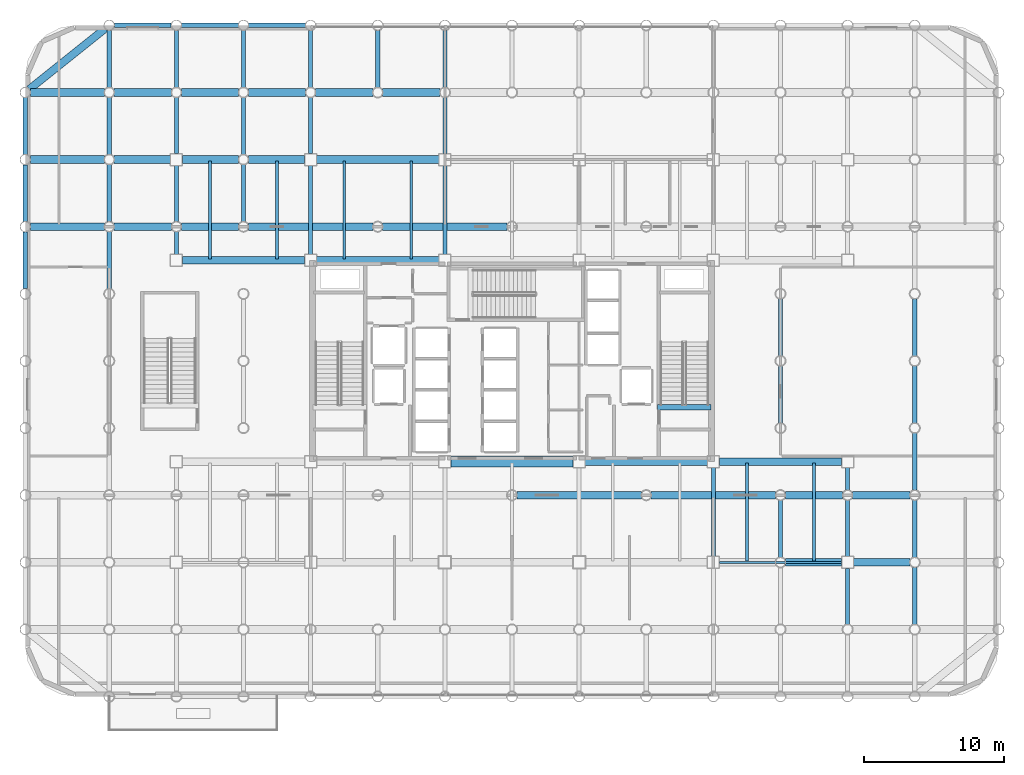
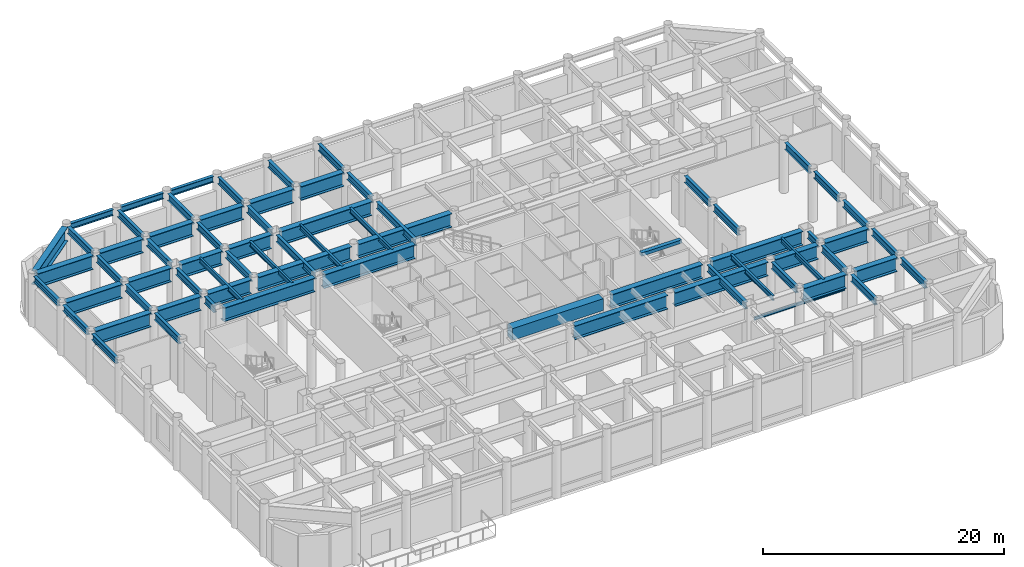
# One storey, part 7 of 17: 72 beams.
"""IFC4 building model written with IfcOpenShell, lengths in metres."""

from ifc_helpers import new_model, si_unit, direction, frame, origin, origin_2d, place, context, subcontext, project, spatial, rectangle, i_section, extrude, material, material_profile, profile_set, type_object, element, save


model = new_model("IFC4")

# Units and contexts
model_context = context("Model", 3, precision=1e-05, world=origin(), true_north=direction((0.0, 1.0)))
body_context = subcontext(model_context, "Body", "Model", "MODEL_VIEW")
ifc_project = project(units=[si_unit("LENGTHUNIT", "METRE"), si_unit("AREAUNIT", "SQUARE_METRE"), si_unit("VOLUMEUNIT", "CUBIC_METRE"), si_unit("PLANEANGLEUNIT", "RADIAN"), si_unit("MASSUNIT", "GRAM", prefix="KILO")], contexts=[model_context])

# Site, building, storey
site_placement = place(None, origin())
site = spatial("IfcSite", under=ifc_project, at=site_placement, CompositionType="ELEMENT")
building_placement = place(site_placement, origin())
building = spatial("IfcBuilding", under=site, at=building_placement, Name="Kallvorn Hotel Tower", CompositionType="ELEMENT")
storey_placement = place(building_placement, frame((0.0, 0.0, 19.199951171875)))
storey = spatial("IfcBuildingStorey", under=building, at=storey_placement, Name="L03", CompositionType="ELEMENT", Elevation=19.199951171875)

# Beams
ifc_material_1 = material(Name="Structural steel S355JR", Category="steel")
ifc_material_profile_1 = material_profile(ifc_material_1, i_section(OverallWidth=0.300048828125, OverallDepth=0.60009765625, WebThickness=0.015380859375, FlangeThickness=0.030029296875, at=origin_2d()), Name="HE 600 B")
ifc_profile_set_1 = profile_set([ifc_material_profile_1], Name="Structural steel S355JR")
beam_type_1 = type_object("IfcBeamType", Name="BM_HE600B", PredefinedType="SPANDREL", material=ifc_profile_set_1)
for number, where, z_axis, x_axis, name in (
    (1, (-28.428955078125, 24.0, 4.880126953125), (1.0, 0.0, 0.0), (0.0, 1.0, 0.0), "L04 Perimeter Spandrel 184"),
    (2, (-23.62890625, 24.0, 4.880126953125), (1.0, 0.0, 0.0), (0.0, 1.0, 0.0), "L04 Perimeter Spandrel 185"),
):
    element("IfcBeam", number, at=place(storey_placement, frame(where, z_axis=z_axis, x_axis=x_axis)), inside=storey, type_object=beam_type_1, Name=name, PredefinedType="SPANDREL", context=body_context, shape_type="SweptSolid", body=[
        extrude(i_section(OverallWidth=0.300048828125, OverallDepth=0.60009765625, WebThickness=0.015380859375, FlangeThickness=0.030029296875, at=origin_2d()), origin(), (0.0, 0.0, 1.0), 4.057861328125),
    ])
for number, where, z_axis, x_axis, name in (
    (3, (-18.8291015625, 24.0, 4.880126953125), (1.0, 0.0, 0.0), (0.0, 1.0, 0.0), "L04 Perimeter Spandrel 186"),
    (4, (-34.800048828125, 5.1708984375, 4.880126953125), (0.0, 1.0, 0.0), (-1.0, 0.0, 0.0), "L04 Perimeter Spandrel 201"),
    (5, (-34.800048828125, 9.970947265625, 4.880126953125), (0.0, 1.0, 0.0), (-1.0, 0.0, 0.0), "L04 Perimeter Spandrel 202"),
    (6, (-34.800048828125, 14.77099609375, 4.880126953125), (0.0, 1.0, 0.0), (-1.0, 0.0, 0.0), "L04 Perimeter Spandrel 203"),
):
    element("IfcBeam", number, at=place(storey_placement, frame(where, z_axis=z_axis, x_axis=x_axis)), inside=storey, type_object=beam_type_1, Name=name, PredefinedType="SPANDREL", context=body_context, shape_type="SweptSolid", body=[
        extrude(i_section(OverallWidth=0.300048828125, OverallDepth=0.60009765625, WebThickness=0.015380859375, FlangeThickness=0.030029296875, at=origin_2d()), origin(), (0.0, 0.0, 1.0), 4.05810546875),
    ])
ifc_material_2 = material(Name="Structural steel S355JR", Category="steel")
ifc_material_profile_2 = material_profile(ifc_material_2, i_section(OverallWidth=0.300048828125, OverallDepth=0.699951171875, WebThickness=0.01708984375, FlangeThickness=0.031982421875, at=origin_2d()), Name="HE 700 B")
ifc_profile_set_2 = profile_set([ifc_material_profile_2], Name="Structural steel S355JR")
beam_type_2 = type_object("IfcBeamType", Name="BM_HE700B", PredefinedType="BEAM", material=ifc_profile_set_2)
for number, where, z_axis, x_axis, name in (
    (7, (-28.800048828125, 5.156005859375, 4.830078125), (0.0, 1.0, 0.0), (-1.0, 0.0, 0.0), "L04 Primary Y-Girder 86"),
    (8, (-28.800048828125, 9.9560546875, 4.830078125), (0.0, 1.0, 0.0), (-1.0, 0.0, 0.0), "L04 Primary Y-Girder 87"),
    (9, (-28.800048828125, 14.756103515625, 4.830078125), (0.0, 1.0, 0.0), (-1.0, 0.0, 0.0), "L04 Primary Y-Girder 88"),
):
    element("IfcBeam", number, at=place(storey_placement, frame(where, z_axis=z_axis, x_axis=x_axis)), inside=storey, type_object=beam_type_2, Name=name, PredefinedType="BEAM", context=body_context, shape_type="SweptSolid", body=[
        extrude(i_section(OverallWidth=0.300048828125, OverallDepth=0.699951171875, WebThickness=0.01708984375, FlangeThickness=0.031982421875, at=origin_2d()), origin(), (0.0, 0.0, 1.0), 4.087890625),
    ])
beam_1_placement = place(storey_placement, frame((-28.800048828125, 19.555908203125, 4.830078125), z_axis=(0.0, 1.0, 0.0), x_axis=(-1.0, 0.0, 0.0)))
element("IfcBeam", 10, at=beam_1_placement, inside=storey, type_object=beam_type_2, Name="L04 Primary Y-Girder 89", PredefinedType="BEAM", context=body_context, shape_type="SweptSolid", body=[
    extrude(i_section(OverallWidth=0.300048828125, OverallDepth=0.699951171875, WebThickness=0.01708984375, FlangeThickness=0.031982421875, at=origin_2d()), origin(), (0.0, 0.0, 1.0), 4.088134765625),
])
beam_2_placement = place(storey_placement, frame((-24.0, 7.625, 4.830078125), z_axis=(0.0, 1.0, 0.0), x_axis=(-1.0, 0.0, 0.0)))
element("IfcBeam", 11, at=beam_2_placement, inside=storey, type_object=beam_type_2, Name="L04 Primary Y-Girder 94", PredefinedType="BEAM", context=body_context, shape_type="SweptSolid", body=[
    extrude(i_section(OverallWidth=0.300048828125, OverallDepth=0.699951171875, WebThickness=0.01708984375, FlangeThickness=0.031982421875, at=origin_2d()), origin(), (0.0, 0.0, 1.0), 1.618896484375),
])
for number, where, z_axis, x_axis, name in (
    (12, (-24.0, 9.9560546875, 4.830078125), (0.0, 1.0, 0.0), (-1.0, 0.0, 0.0), "L04 Primary Y-Girder 95"),
    (13, (-24.0, 14.824951171875, 4.830078125), (0.0, 1.0, 0.0), (-1.0, 0.0, 0.0), "L04 Primary Y-Girder 96"),
):
    element("IfcBeam", number, at=place(storey_placement, frame(where, z_axis=z_axis, x_axis=x_axis)), inside=storey, type_object=beam_type_2, Name=name, PredefinedType="BEAM", context=body_context, shape_type="SweptSolid", body=[
        extrude(i_section(OverallWidth=0.300048828125, OverallDepth=0.699951171875, WebThickness=0.01708984375, FlangeThickness=0.031982421875, at=origin_2d()), origin(), (0.0, 0.0, 1.0), 4.01904296875),
    ])
beam_3_placement = place(storey_placement, frame((-24.0, 19.555908203125, 4.830078125), z_axis=(0.0, 1.0, 0.0), x_axis=(-1.0, 0.0, 0.0)))
element("IfcBeam", 14, at=beam_3_placement, inside=storey, type_object=beam_type_2, Name="L04 Primary Y-Girder 97", PredefinedType="BEAM", context=body_context, shape_type="SweptSolid", body=[
    extrude(i_section(OverallWidth=0.300048828125, OverallDepth=0.699951171875, WebThickness=0.01708984375, FlangeThickness=0.031982421875, at=origin_2d()), origin(), (0.0, 0.0, 1.0), 4.088134765625),
])
for number, where, z_axis, x_axis, name in (
    (15, (-19.199951171875, 9.9560546875, 4.830078125), (0.0, 1.0, 0.0), (-1.0, 0.0, 0.0), "L04 Primary Y-Girder 105"),
    (16, (-19.199951171875, 14.756103515625, 4.830078125), (0.0, 1.0, 0.0), (-1.0, 0.0, 0.0), "L04 Primary Y-Girder 106"),
):
    element("IfcBeam", number, at=place(storey_placement, frame(where, z_axis=z_axis, x_axis=x_axis)), inside=storey, type_object=beam_type_2, Name=name, PredefinedType="BEAM", context=body_context, shape_type="SweptSolid", body=[
        extrude(i_section(OverallWidth=0.300048828125, OverallDepth=0.699951171875, WebThickness=0.01708984375, FlangeThickness=0.031982421875, at=origin_2d()), origin(), (0.0, 0.0, 1.0), 4.087890625),
    ])
beam_4_placement = place(storey_placement, frame((-19.199951171875, 19.555908203125, 4.830078125), z_axis=(0.0, 1.0, 0.0), x_axis=(-1.0, 0.0, 0.0)))
element("IfcBeam", 17, at=beam_4_placement, inside=storey, type_object=beam_type_2, Name="L04 Primary Y-Girder 107", PredefinedType="BEAM", context=body_context, shape_type="SweptSolid", body=[
    extrude(i_section(OverallWidth=0.300048828125, OverallDepth=0.699951171875, WebThickness=0.01708984375, FlangeThickness=0.031982421875, at=origin_2d()), origin(), (0.0, 0.0, 1.0), 4.088134765625),
])
beam_5_placement = place(storey_placement, frame((-14.39990234375, 7.625, 4.830078125), z_axis=(0.0, 1.0, 0.0), x_axis=(-1.0, 0.0, 0.0)))
element("IfcBeam", 18, at=beam_5_placement, inside=storey, type_object=beam_type_2, Name="L04 Primary Y-Girder 111", PredefinedType="BEAM", context=body_context, shape_type="SweptSolid", body=[
    extrude(i_section(OverallWidth=0.300048828125, OverallDepth=0.699951171875, WebThickness=0.01708984375, FlangeThickness=0.031982421875, at=origin_2d()), origin(), (0.0, 0.0, 1.0), 6.35009765625),
])
beam_6_placement = place(storey_placement, frame((-14.39990234375, 14.824951171875, 4.830078125), z_axis=(0.0, 1.0, 0.0), x_axis=(-1.0, 0.0, 0.0)))
element("IfcBeam", 19, at=beam_6_placement, inside=storey, type_object=beam_type_2, Name="L04 Primary Y-Girder 112", PredefinedType="BEAM", context=body_context, shape_type="SweptSolid", body=[
    extrude(i_section(OverallWidth=0.300048828125, OverallDepth=0.699951171875, WebThickness=0.01708984375, FlangeThickness=0.031982421875, at=origin_2d()), origin(), (0.0, 0.0, 1.0), 4.01904296875),
])
for number, where, z_axis, x_axis, name in (
    (20, (-14.39990234375, 19.555908203125, 4.830078125), (0.0, 1.0, 0.0), (-1.0, 0.0, 0.0), "L04 Primary Y-Girder 113"),
    (21, (-9.60009765625, 19.555908203125, 4.830078125), (0.0, 1.0, 0.0), (-1.0, 0.0, 0.0), "L04 Primary Y-Girder 117"),
):
    element("IfcBeam", number, at=place(storey_placement, frame(where, z_axis=z_axis, x_axis=x_axis)), inside=storey, type_object=beam_type_2, Name=name, PredefinedType="BEAM", context=body_context, shape_type="SweptSolid", body=[
        extrude(i_section(OverallWidth=0.300048828125, OverallDepth=0.699951171875, WebThickness=0.01708984375, FlangeThickness=0.031982421875, at=origin_2d()), origin(), (0.0, 0.0, 1.0), 4.088134765625),
    ])
beam_7_placement = place(storey_placement, frame((-4.800048828125, 7.625, 4.830078125), z_axis=(0.0, 1.0, 0.0), x_axis=(-1.0, 0.0, 0.0)))
element("IfcBeam", 22, at=beam_7_placement, inside=storey, type_object=beam_type_2, Name="L04 Primary Y-Girder 121", PredefinedType="BEAM", context=body_context, shape_type="SweptSolid", body=[
    extrude(i_section(OverallWidth=0.300048828125, OverallDepth=0.699951171875, WebThickness=0.01708984375, FlangeThickness=0.031982421875, at=origin_2d()), origin(), (0.0, 0.0, 1.0), 6.35009765625),
])
beam_8_placement = place(storey_placement, frame((-4.800048828125, 14.824951171875, 4.830078125), z_axis=(0.0, 1.0, 0.0), x_axis=(-1.0, 0.0, 0.0)))
element("IfcBeam", 23, at=beam_8_placement, inside=storey, type_object=beam_type_2, Name="L04 Primary Y-Girder 122", PredefinedType="BEAM", context=body_context, shape_type="SweptSolid", body=[
    extrude(i_section(OverallWidth=0.300048828125, OverallDepth=0.699951171875, WebThickness=0.01708984375, FlangeThickness=0.031982421875, at=origin_2d()), origin(), (0.0, 0.0, 1.0), 4.01904296875),
])
beam_9_placement = place(storey_placement, frame((-4.800048828125, 19.555908203125, 4.830078125), z_axis=(0.0, 1.0, 0.0), x_axis=(-1.0, 0.0, 0.0)))
element("IfcBeam", 24, at=beam_9_placement, inside=storey, type_object=beam_type_2, Name="L04 Primary Y-Girder 123", PredefinedType="BEAM", context=body_context, shape_type="SweptSolid", body=[
    extrude(i_section(OverallWidth=0.300048828125, OverallDepth=0.699951171875, WebThickness=0.01708984375, FlangeThickness=0.031982421875, at=origin_2d()), origin(), (0.0, 0.0, 1.0), 4.088134765625),
])
beam_10_placement = place(storey_placement, frame((14.39990234375, -13.97509765625, 4.830078125), z_axis=(0.0, 1.0, 0.0), x_axis=(-1.0, 0.0, 0.0)))
element("IfcBeam", 25, at=beam_10_placement, inside=storey, type_object=beam_type_2, Name="L04 Primary Y-Girder 140", PredefinedType="BEAM", context=body_context, shape_type="SweptSolid", body=[
    extrude(i_section(OverallWidth=0.300048828125, OverallDepth=0.699951171875, WebThickness=0.01708984375, FlangeThickness=0.031982421875, at=origin_2d()), origin(), (0.0, 0.0, 1.0), 6.35009765625),
])
beam_11_placement = place(storey_placement, frame((19.199951171875, -14.0439453125, 4.830078125), z_axis=(0.0, 1.0, 0.0), x_axis=(-1.0, 0.0, 0.0)))
element("IfcBeam", 26, at=beam_11_placement, inside=storey, type_object=beam_type_2, Name="L04 Primary Y-Girder 146", PredefinedType="BEAM", context=body_context, shape_type="SweptSolid", body=[
    extrude(i_section(OverallWidth=0.300048828125, OverallDepth=0.699951171875, WebThickness=0.01708984375, FlangeThickness=0.031982421875, at=origin_2d()), origin(), (0.0, 0.0, 1.0), 4.087890625),
])
for number, where, z_axis, x_axis, name in (
    (27, (19.199951171875, -4.444091796875, 4.830078125), (0.0, 1.0, 0.0), (-1.0, 0.0, 0.0), "L04 Primary Y-Girder 148"),
    (28, (19.199951171875, 0.35595703125, 4.830078125), (0.0, 1.0, 0.0), (-1.0, 0.0, 0.0), "L04 Primary Y-Girder 149"),
):
    element("IfcBeam", number, at=place(storey_placement, frame(where, z_axis=z_axis, x_axis=x_axis)), inside=storey, type_object=beam_type_2, Name=name, PredefinedType="BEAM", context=body_context, shape_type="SweptSolid", body=[
        extrude(i_section(OverallWidth=0.300048828125, OverallDepth=0.699951171875, WebThickness=0.01708984375, FlangeThickness=0.031982421875, at=origin_2d()), origin(), (0.0, 0.0, 1.0), 4.088134765625),
    ])
for number, where, z_axis, x_axis, name in (
    (29, (24.0, -18.843994140625, 4.830078125), (0.0, 1.0, 0.0), (-1.0, 0.0, 0.0), "L04 Primary Y-Girder 155"),
    (30, (24.0, -13.97509765625, 4.830078125), (0.0, 1.0, 0.0), (-1.0, 0.0, 0.0), "L04 Primary Y-Girder 156"),
):
    element("IfcBeam", number, at=place(storey_placement, frame(where, z_axis=z_axis, x_axis=x_axis)), inside=storey, type_object=beam_type_2, Name=name, PredefinedType="BEAM", context=body_context, shape_type="SweptSolid", body=[
        extrude(i_section(OverallWidth=0.300048828125, OverallDepth=0.699951171875, WebThickness=0.01708984375, FlangeThickness=0.031982421875, at=origin_2d()), origin(), (0.0, 0.0, 1.0), 4.01904296875),
    ])
beam_12_placement = place(storey_placement, frame((24.0, -9.243896484375, 4.830078125), z_axis=(0.0, 1.0, 0.0), x_axis=(-1.0, 0.0, 0.0)))
element("IfcBeam", 31, at=beam_12_placement, inside=storey, type_object=beam_type_2, Name="L04 Primary Y-Girder 157", PredefinedType="BEAM", context=body_context, shape_type="SweptSolid", body=[
    extrude(i_section(OverallWidth=0.300048828125, OverallDepth=0.699951171875, WebThickness=0.01708984375, FlangeThickness=0.031982421875, at=origin_2d()), origin(), (0.0, 0.0, 1.0), 1.618896484375),
])
for number, where, z_axis, x_axis, name in (
    (32, (28.800048828125, -18.843994140625, 4.830078125), (0.0, 1.0, 0.0), (-1.0, 0.0, 0.0), "L04 Primary Y-Girder 163"),
    (33, (28.800048828125, -14.0439453125, 4.830078125), (0.0, 1.0, 0.0), (-1.0, 0.0, 0.0), "L04 Primary Y-Girder 164"),
    (34, (28.800048828125, -9.243896484375, 4.830078125), (0.0, 1.0, 0.0), (-1.0, 0.0, 0.0), "L04 Primary Y-Girder 165"),
):
    element("IfcBeam", number, at=place(storey_placement, frame(where, z_axis=z_axis, x_axis=x_axis)), inside=storey, type_object=beam_type_2, Name=name, PredefinedType="BEAM", context=body_context, shape_type="SweptSolid", body=[
        extrude(i_section(OverallWidth=0.300048828125, OverallDepth=0.699951171875, WebThickness=0.01708984375, FlangeThickness=0.031982421875, at=origin_2d()), origin(), (0.0, 0.0, 1.0), 4.087890625),
    ])
for number, where, z_axis, x_axis, name in (
    (35, (28.800048828125, -4.444091796875, 4.830078125), (0.0, 1.0, 0.0), (-1.0, 0.0, 0.0), "L04 Primary Y-Girder 166"),
    (36, (28.800048828125, 0.35595703125, 4.830078125), (0.0, 1.0, 0.0), (-1.0, 0.0, 0.0), "L04 Primary Y-Girder 167"),
):
    element("IfcBeam", number, at=place(storey_placement, frame(where, z_axis=z_axis, x_axis=x_axis)), inside=storey, type_object=beam_type_2, Name=name, PredefinedType="BEAM", context=body_context, shape_type="SweptSolid", body=[
        extrude(i_section(OverallWidth=0.300048828125, OverallDepth=0.699951171875, WebThickness=0.01708984375, FlangeThickness=0.031982421875, at=origin_2d()), origin(), (0.0, 0.0, 1.0), 4.088134765625),
    ])
ifc_material_3 = material(Name="Structural steel S355JR", Category="steel")
ifc_material_profile_3 = material_profile(ifc_material_3, i_section(OverallWidth=0.14990234375, OverallDepth=0.300048828125, WebThickness=0.007080078125, FlangeThickness=0.0107421875, at=origin_2d()), Name="IPE 300")
ifc_profile_set_3 = profile_set([ifc_material_profile_3], Name="Structural steel S355JR")
beam_type_3 = type_object("IfcBeamType", Name="BM_IPE300", PredefinedType="LINTEL", material=ifc_profile_set_3)
beam_13_placement = place(storey_placement, frame((14.840087890625, -14.39990234375, 3.60009765625), z_axis=(1.0, 0.0, 0.0), x_axis=(0.0, 1.0, 0.0)))
element("IfcBeam", 37, at=beam_13_placement, inside=storey, type_object=beam_type_3, Name="L03 Concourse Portal Lintel Beam 2", PredefinedType="LINTEL", context=body_context, shape_type="SweptSolid", body=[
    extrude(i_section(OverallWidth=0.14990234375, OverallDepth=0.300048828125, WebThickness=0.007080078125, FlangeThickness=0.0107421875, at=origin_2d()), origin(), (0.0, 0.0, 1.0), 8.719970703125),
])
ifc_material_4 = material(Name="Structural steel S355JR", Category="steel")
ifc_material_profile_4 = material_profile(ifc_material_4, i_section(OverallWidth=0.199951171875, OverallDepth=0.5, WebThickness=0.01025390625, FlangeThickness=0.01611328125, at=origin_2d()), Name="IPE 500")
ifc_profile_set_4 = profile_set([ifc_material_profile_4], Name="Structural steel S355JR")
beam_type_4 = type_object("IfcBeamType", Name="BM_IPE500", PredefinedType="JOIST", material=ifc_profile_set_4)
for number, where, z_axis, x_axis, name in (
    (38, (-21.60009765625, 7.300048828125, 4.929931640625), (0.0, 1.0, 0.0), (-1.0, 0.0, 0.0), "L04 Secondary Composite Joist 217"),
    (39, (-16.800048828125, 7.300048828125, 4.929931640625), (0.0, 1.0, 0.0), (-1.0, 0.0, 0.0), "L04 Secondary Composite Joist 219"),
    (40, (-12.0, 7.300048828125, 4.929931640625), (0.0, 1.0, 0.0), (-1.0, 0.0, 0.0), "L04 Secondary Composite Joist 221"),
    (41, (-7.199951171875, 7.300048828125, 4.929931640625), (0.0, 1.0, 0.0), (-1.0, 0.0, 0.0), "L04 Secondary Composite Joist 223"),
    (42, (16.800048828125, -14.300048828125, 4.929931640625), (0.0, 1.0, 0.0), (-1.0, 0.0, 0.0), "L04 Secondary Composite Joist 230"),
    (43, (21.60009765625, -14.300048828125, 4.929931640625), (0.0, 1.0, 0.0), (-1.0, 0.0, 0.0), "L04 Secondary Composite Joist 232"),
):
    element("IfcBeam", number, at=place(storey_placement, frame(where, z_axis=z_axis, x_axis=x_axis)), inside=storey, type_object=beam_type_4, Name=name, PredefinedType="JOIST", context=body_context, shape_type="SweptSolid", body=[
        extrude(i_section(OverallWidth=0.199951171875, OverallDepth=0.5, WebThickness=0.01025390625, FlangeThickness=0.01611328125, at=origin_2d()), origin(), (0.0, 0.0, 1.0), 7.0),
    ])
ifc_material_5 = material(Name="Structural steel S355JR", Category="steel")
ifc_material_profile_5 = material_profile(ifc_material_5, i_section(OverallWidth=0.550048828125, OverallDepth=1.39990234375, WebThickness=0.02490234375, FlangeThickness=0.044921875, at=origin_2d()), Name="PG 1400x550x25x45")
ifc_profile_set_5 = profile_set([ifc_material_profile_5], Name="Structural steel S355JR")
beam_type_5 = type_object("IfcBeamType", Name="BM_PG_1400", PredefinedType="BEAM", material=ifc_profile_set_5)
for number, where, z_axis, x_axis, name in (
    (44, (19.555908203125, -14.39990234375, 4.47998046875), (1.0, 0.0, 0.0), (0.0, 1.0, 0.0), "L04 Primary X-Girder 23"),
    (45, (24.425048828125, -14.39990234375, 4.47998046875), (1.0, 0.0, 0.0), (0.0, 1.0, 0.0), "L04 Primary X-Girder 24"),
):
    element("IfcBeam", number, at=place(storey_placement, frame(where, z_axis=z_axis, x_axis=x_axis)), inside=storey, type_object=beam_type_5, Name=name, PredefinedType="BEAM", context=body_context, shape_type="SweptSolid", body=[
        extrude(i_section(OverallWidth=0.550048828125, OverallDepth=1.39990234375, WebThickness=0.02490234375, FlangeThickness=0.044921875, at=origin_2d()), origin(), (0.0, 0.0, 1.0), 4.01904296875),
    ])
for number, where, z_axis, x_axis, name in (
    (46, (0.35595703125, -9.60009765625, 4.47998046875), (1.0, 0.0, 0.0), (0.0, 1.0, 0.0), "L04 Primary X-Girder 31"),
    (47, (9.9560546875, -9.60009765625, 4.47998046875), (1.0, 0.0, 0.0), (0.0, 1.0, 0.0), "L04 Primary X-Girder 32"),
):
    element("IfcBeam", number, at=place(storey_placement, frame(where, z_axis=z_axis, x_axis=x_axis)), inside=storey, type_object=beam_type_5, Name=name, PredefinedType="BEAM", context=body_context, shape_type="SweptSolid", body=[
        extrude(i_section(OverallWidth=0.550048828125, OverallDepth=1.39990234375, WebThickness=0.02490234375, FlangeThickness=0.044921875, at=origin_2d()), origin(), (0.0, 0.0, 1.0), 8.887939453125),
    ])
for number, where, z_axis, x_axis, name in (
    (48, (19.555908203125, -9.60009765625, 4.47998046875), (1.0, 0.0, 0.0), (0.0, 1.0, 0.0), "L04 Primary X-Girder 33"),
    (49, (24.35595703125, -9.60009765625, 4.47998046875), (1.0, 0.0, 0.0), (0.0, 1.0, 0.0), "L04 Primary X-Girder 34"),
):
    element("IfcBeam", number, at=place(storey_placement, frame(where, z_axis=z_axis, x_axis=x_axis)), inside=storey, type_object=beam_type_5, Name=name, PredefinedType="BEAM", context=body_context, shape_type="SweptSolid", body=[
        extrude(i_section(OverallWidth=0.550048828125, OverallDepth=1.39990234375, WebThickness=0.02490234375, FlangeThickness=0.044921875, at=origin_2d()), origin(), (0.0, 0.0, 1.0), 4.088134765625),
    ])
for number, where, z_axis, x_axis, name in (
    (50, (5.22509765625, -7.199951171875, 4.47998046875), (1.0, 0.0, 0.0), (0.0, 1.0, 0.0), "L04 Primary X-Girder 38"),
    (51, (14.824951171875, -7.199951171875, 4.47998046875), (1.0, 0.0, 0.0), (0.0, 1.0, 0.0), "L04 Primary X-Girder 39"),
    (52, (-23.574951171875, 7.199951171875, 4.47998046875), (1.0, 0.0, 0.0), (0.0, 1.0, 0.0), "L04 Primary X-Girder 40"),
    (53, (-13.97509765625, 7.199951171875, 4.47998046875), (1.0, 0.0, 0.0), (0.0, 1.0, 0.0), "L04 Primary X-Girder 41"),
):
    element("IfcBeam", number, at=place(storey_placement, frame(where, z_axis=z_axis, x_axis=x_axis)), inside=storey, type_object=beam_type_5, Name=name, PredefinedType="BEAM", context=body_context, shape_type="SweptSolid", body=[
        extrude(i_section(OverallWidth=0.550048828125, OverallDepth=1.39990234375, WebThickness=0.02490234375, FlangeThickness=0.044921875, at=origin_2d()), origin(), (0.0, 0.0, 1.0), 8.75),
    ])
beam_14_placement = place(storey_placement, frame((-34.444091796875, 9.60009765625, 4.47998046875), z_axis=(1.0, 0.0, 0.0), x_axis=(0.0, 1.0, 0.0)))
element("IfcBeam", 54, at=beam_14_placement, inside=storey, type_object=beam_type_5, Name="L04 Primary X-Girder 45", PredefinedType="BEAM", context=body_context, shape_type="SweptSolid", body=[
    extrude(i_section(OverallWidth=0.550048828125, OverallDepth=1.39990234375, WebThickness=0.02490234375, FlangeThickness=0.044921875, at=origin_2d()), origin(), (0.0, 0.0, 1.0), 5.2880859375),
])
for number, where, z_axis, x_axis, name in (
    (55, (-28.444091796875, 9.60009765625, 4.47998046875), (1.0, 0.0, 0.0), (0.0, 1.0, 0.0), "L04 Primary X-Girder 46"),
    (56, (-23.64404296875, 9.60009765625, 4.47998046875), (1.0, 0.0, 0.0), (0.0, 1.0, 0.0), "L04 Primary X-Girder 47"),
):
    element("IfcBeam", number, at=place(storey_placement, frame(where, z_axis=z_axis, x_axis=x_axis)), inside=storey, type_object=beam_type_5, Name=name, PredefinedType="BEAM", context=body_context, shape_type="SweptSolid", body=[
        extrude(i_section(OverallWidth=0.550048828125, OverallDepth=1.39990234375, WebThickness=0.02490234375, FlangeThickness=0.044921875, at=origin_2d()), origin(), (0.0, 0.0, 1.0), 4.088134765625),
    ])
for number, where, z_axis, x_axis, name in (
    (57, (-18.843994140625, 9.60009765625, 4.47998046875), (1.0, 0.0, 0.0), (0.0, 1.0, 0.0), "L04 Primary X-Girder 48"),
    (58, (-9.243896484375, 9.60009765625, 4.47998046875), (1.0, 0.0, 0.0), (0.0, 1.0, 0.0), "L04 Primary X-Girder 49"),
):
    element("IfcBeam", number, at=place(storey_placement, frame(where, z_axis=z_axis, x_axis=x_axis)), inside=storey, type_object=beam_type_5, Name=name, PredefinedType="BEAM", context=body_context, shape_type="SweptSolid", body=[
        extrude(i_section(OverallWidth=0.550048828125, OverallDepth=1.39990234375, WebThickness=0.02490234375, FlangeThickness=0.044921875, at=origin_2d()), origin(), (0.0, 0.0, 1.0), 8.887939453125),
    ])
beam_15_placement = place(storey_placement, frame((-34.444091796875, 14.39990234375, 4.47998046875), z_axis=(1.0, 0.0, 0.0), x_axis=(0.0, 1.0, 0.0)))
element("IfcBeam", 59, at=beam_15_placement, inside=storey, type_object=beam_type_5, Name="L04 Primary X-Girder 55", PredefinedType="BEAM", context=body_context, shape_type="SweptSolid", body=[
    extrude(i_section(OverallWidth=0.550048828125, OverallDepth=1.39990234375, WebThickness=0.02490234375, FlangeThickness=0.044921875, at=origin_2d()), origin(), (0.0, 0.0, 1.0), 5.2880859375),
])
for number, where, z_axis, x_axis, name in (
    (60, (-28.444091796875, 14.39990234375, 4.47998046875), (1.0, 0.0, 0.0), (0.0, 1.0, 0.0), "L04 Primary X-Girder 56"),
    (61, (-23.574951171875, 14.39990234375, 4.47998046875), (1.0, 0.0, 0.0), (0.0, 1.0, 0.0), "L04 Primary X-Girder 57"),
    (62, (-18.843994140625, 14.39990234375, 4.47998046875), (1.0, 0.0, 0.0), (0.0, 1.0, 0.0), "L04 Primary X-Girder 58"),
):
    element("IfcBeam", number, at=place(storey_placement, frame(where, z_axis=z_axis, x_axis=x_axis)), inside=storey, type_object=beam_type_5, Name=name, PredefinedType="BEAM", context=body_context, shape_type="SweptSolid", body=[
        extrude(i_section(OverallWidth=0.550048828125, OverallDepth=1.39990234375, WebThickness=0.02490234375, FlangeThickness=0.044921875, at=origin_2d()), origin(), (0.0, 0.0, 1.0), 4.01904296875),
    ])
beam_16_placement = place(storey_placement, frame((-13.97509765625, 14.39990234375, 4.47998046875), z_axis=(1.0, 0.0, 0.0), x_axis=(0.0, 1.0, 0.0)))
element("IfcBeam", 63, at=beam_16_placement, inside=storey, type_object=beam_type_5, Name="L04 Primary X-Girder 59", PredefinedType="BEAM", context=body_context, shape_type="SweptSolid", body=[
    extrude(i_section(OverallWidth=0.550048828125, OverallDepth=1.39990234375, WebThickness=0.02490234375, FlangeThickness=0.044921875, at=origin_2d()), origin(), (0.0, 0.0, 1.0), 8.75),
])
beam_17_placement = place(storey_placement, frame((-34.444091796875, 19.199951171875, 4.47998046875), z_axis=(1.0, 0.0, 0.0), x_axis=(0.0, 1.0, 0.0)))
element("IfcBeam", 64, at=beam_17_placement, inside=storey, type_object=beam_type_5, Name="L04 Primary X-Girder 66", PredefinedType="BEAM", context=body_context, shape_type="SweptSolid", body=[
    extrude(i_section(OverallWidth=0.550048828125, OverallDepth=1.39990234375, WebThickness=0.02490234375, FlangeThickness=0.044921875, at=origin_2d()), origin(), (0.0, 0.0, 1.0), 5.2880859375),
])
for number, where, z_axis, x_axis, name in (
    (65, (-28.444091796875, 19.199951171875, 4.47998046875), (1.0, 0.0, 0.0), (0.0, 1.0, 0.0), "L04 Primary X-Girder 67"),
    (66, (-23.64404296875, 19.199951171875, 4.47998046875), (1.0, 0.0, 0.0), (0.0, 1.0, 0.0), "L04 Primary X-Girder 68"),
):
    element("IfcBeam", number, at=place(storey_placement, frame(where, z_axis=z_axis, x_axis=x_axis)), inside=storey, type_object=beam_type_5, Name=name, PredefinedType="BEAM", context=body_context, shape_type="SweptSolid", body=[
        extrude(i_section(OverallWidth=0.550048828125, OverallDepth=1.39990234375, WebThickness=0.02490234375, FlangeThickness=0.044921875, at=origin_2d()), origin(), (0.0, 0.0, 1.0), 4.088134765625),
    ])
for number, where, z_axis, x_axis, name in (
    (67, (-18.843994140625, 19.199951171875, 4.47998046875), (1.0, 0.0, 0.0), (0.0, 1.0, 0.0), "L04 Primary X-Girder 69"),
    (68, (-14.0439453125, 19.199951171875, 4.47998046875), (1.0, 0.0, 0.0), (0.0, 1.0, 0.0), "L04 Primary X-Girder 70"),
    (69, (-9.243896484375, 19.199951171875, 4.47998046875), (1.0, 0.0, 0.0), (0.0, 1.0, 0.0), "L04 Primary X-Girder 71"),
):
    element("IfcBeam", number, at=place(storey_placement, frame(where, z_axis=z_axis, x_axis=x_axis)), inside=storey, type_object=beam_type_5, Name=name, PredefinedType="BEAM", context=body_context, shape_type="SweptSolid", body=[
        extrude(i_section(OverallWidth=0.550048828125, OverallDepth=1.39990234375, WebThickness=0.02490234375, FlangeThickness=0.044921875, at=origin_2d()), origin(), (0.0, 0.0, 1.0), 4.087890625),
    ])
beam_18_placement = place(storey_placement, frame((-34.51025390625, 19.431884765625, 4.47998046875), z_axis=(0.780875671801, 0.62468646951, 0.0), x_axis=(-0.62468646951, 0.780875671801, 0.0)))
element("IfcBeam", 70, at=beam_18_placement, inside=storey, type_object=beam_type_5, Name="L04 Rounded Corner Tie Beam 213", PredefinedType="BEAM", context=body_context, shape_type="SweptSolid", body=[
    extrude(i_section(OverallWidth=0.550048828125, OverallDepth=1.39990234375, WebThickness=0.02490234375, FlangeThickness=0.044921875, at=origin_2d()), origin(), (0.0, 0.0, 1.0), 6.941650390625),
])
ifc_material_6 = material(Name="Concrete C50/60", Category="concrete")
ifc_material_profile_6 = material_profile(ifc_material_6, rectangle(XDim=0.360107421875, YDim=0.340087890625, at=origin_2d()), Name="RC 360x340")
ifc_profile_set_6 = profile_set([ifc_material_profile_6], Name="Concrete C50/60")
beam_type_6 = type_object("IfcBeamType", Name="BM_RC_400x360", PredefinedType="BEAM", material=ifc_profile_set_6)
beam_19_placement = place(storey_placement, frame((14.239990234375, -3.31005859375, 5.010009765625), z_axis=(-1.0, 0.0, 0.0), x_axis=(0.0, -1.0, 0.0)))
element("IfcBeam", 71, at=beam_19_placement, inside=storey, type_object=beam_type_6, Name="L04 Stair ST2 Arrival Trimmer Beam", PredefinedType="BEAM", context=body_context, shape_type="SweptSolid", body=[
    extrude(rectangle(XDim=0.360107421875, YDim=0.340087890625, at=origin_2d()), origin(), (0.0, 0.0, 1.0), 3.820068359375),
])
ifc_material_7 = material(Name="Concrete C50/60", Category="concrete")
ifc_material_profile_7 = material_profile(ifc_material_7, rectangle(XDim=0.800048828125, YDim=1.199951171875, at=origin_2d()), Name="RC 800x1200")
ifc_profile_set_7 = profile_set([ifc_material_profile_7], Name="Concrete C50/60")
beam_type_7 = type_object("IfcBeamType", Name="BM_RC_800x1200", PredefinedType="T_BEAM", material=ifc_profile_set_7)
beam_20_placement = place(storey_placement, frame((-4.35009765625, -7.199951171875, 4.580078125), z_axis=(1.0, 0.0, 0.0), x_axis=(0.0, 1.0, 0.0)))
element("IfcBeam", 72, at=beam_20_placement, inside=storey, type_object=beam_type_7, Name="L03 Core Coupling Beam South", PredefinedType="T_BEAM", context=body_context, shape_type="SweptSolid", body=[
    extrude(rectangle(XDim=0.800048828125, YDim=1.199951171875, at=origin_2d()), origin(), (0.0, 0.0, 1.0), 8.7001953125),
])

save(model, "model.ifc")
